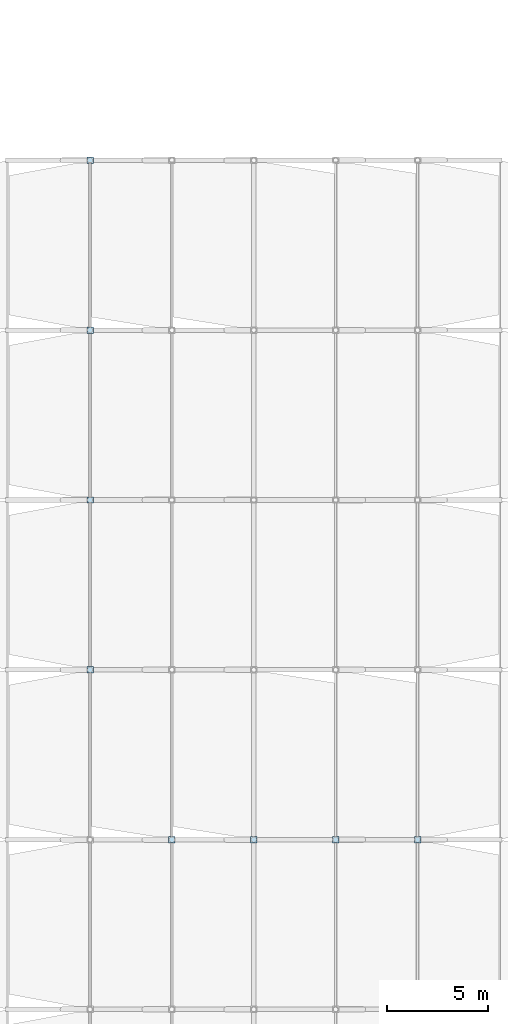
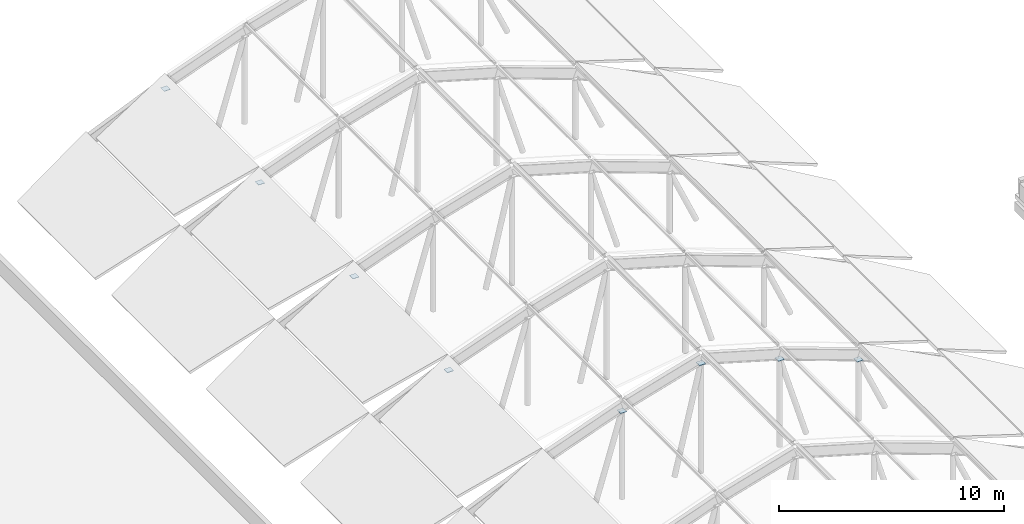
# One storey, part 17 of 22: 8 plates.
"""IFC4 building model written with IfcOpenShell, lengths in metres."""

from ifc_helpers import new_model, si_unit, direction, frame, origin, origin_2d, place, context, subcontext, project, spatial, rectangle, extrude, material, layer, layer_set, type_object, element, save


model = new_model("IFC4")

# Units and contexts
model_context = context("Model", 3, precision=1e-05, world=origin(), true_north=direction((0.0, 1.0)))
body_context = subcontext(model_context, "Body", "Model", "MODEL_VIEW")
ifc_project = project(units=[si_unit("LENGTHUNIT", "METRE"), si_unit("AREAUNIT", "SQUARE_METRE"), si_unit("VOLUMEUNIT", "CUBIC_METRE"), si_unit("PLANEANGLEUNIT", "RADIAN"), si_unit("MASSUNIT", "GRAM", prefix="KILO")], contexts=[model_context])

# Site, building, storey
site_placement = place(None, origin())
site = spatial("IfcSite", under=ifc_project, at=site_placement, CompositionType="ELEMENT")
building_placement = place(site_placement, origin())
building = spatial("IfcBuilding", under=site, at=building_placement, Name="Vireocrest Preparatory School", CompositionType="ELEMENT")
storey_placement = place(building_placement, frame((0.0, 0.0, 25.800048828125)))
storey = spatial("IfcBuildingStorey", under=building, at=storey_placement, Name="RF", CompositionType="ELEMENT", Elevation=25.800048828125)

# Plates
ifc_material = material(Name="Structural steel ASTM A572 Grade 50", Category="steel")
ifc_layer = layer(ifc_material, 0.02001953125)
ifc_layer_set = layer_set([ifc_layer], Name="Structural steel ASTM A572 Grade 50")
plate_type = type_object("IfcPlateType", Name="Hollow Section Steel End Cap Plate 20", PredefinedType="SHEET", material=ifc_layer_set)
for number, where, z_axis, x_axis, name in (
    (1, (75.75, 52.199951171875, 2.10791015625), (0.0, 0.0, 1.0), (1.0, 0.0, 0.0), "Canopy Web Cap CP1-4-3T"),
    (2, (79.800048828125, 52.199951171875, 3.287841796875), (0.0, 0.0, 1.0), (1.0, 0.0, 0.0), "Canopy Web Cap CP1-4-4T"),
    (3, (83.85009765625, 52.199951171875, 2.10791015625), (0.0, 0.0, 1.0), (1.0, 0.0, 0.0), "Canopy Web Cap CP1-4-5T"),
    (4, (87.89990234375, 52.199951171875, 0.64794921875), (0.0, 0.0, 1.0), (1.0, 0.0, 0.0), "Canopy Web Cap CP1-4-6T"),
    (5, (71.699951171875, 60.60009765625, 0.64794921875), (0.0, 0.0, 1.0), (1.0, 0.0, 0.0), "Canopy Web Cap CP1-5-2T"),
    (6, (71.699951171875, 69.0, 0.64794921875), (0.0, 0.0, 1.0), (1.0, 0.0, 0.0), "Canopy Web Cap CP1-6-2T"),
    (7, (71.699951171875, 77.39990234375, 0.64794921875), (0.0, 0.0, 1.0), (1.0, 0.0, 0.0), "Canopy Web Cap CP1-7-2T"),
    (8, (71.699951171875, 85.800048828125, 0.64794921875), (0.0, 0.0, 1.0), (1.0, 0.0, 0.0), "Canopy Web Cap CP1-8-2T"),
):
    element("IfcPlate", number, at=place(storey_placement, frame(where, z_axis=z_axis, x_axis=x_axis)), inside=storey, type_object=plate_type, Name=name, PredefinedType="SHEET", context=body_context, shape_type="SweptSolid", body=[
        extrude(rectangle(XDim=0.320068359375, YDim=0.320068359375, at=origin_2d()), origin(), (0.0, 0.0, 1.0), 0.02001953125),
    ])

save(model, "model.ifc")
